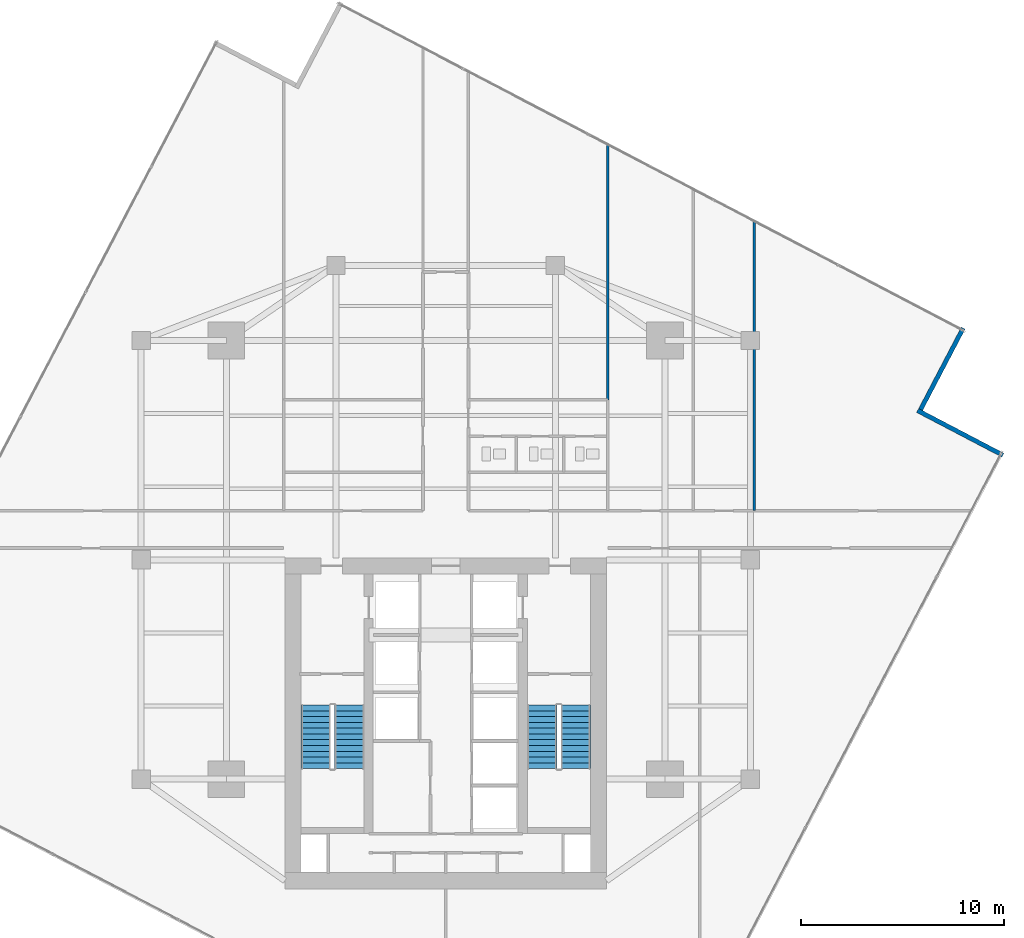
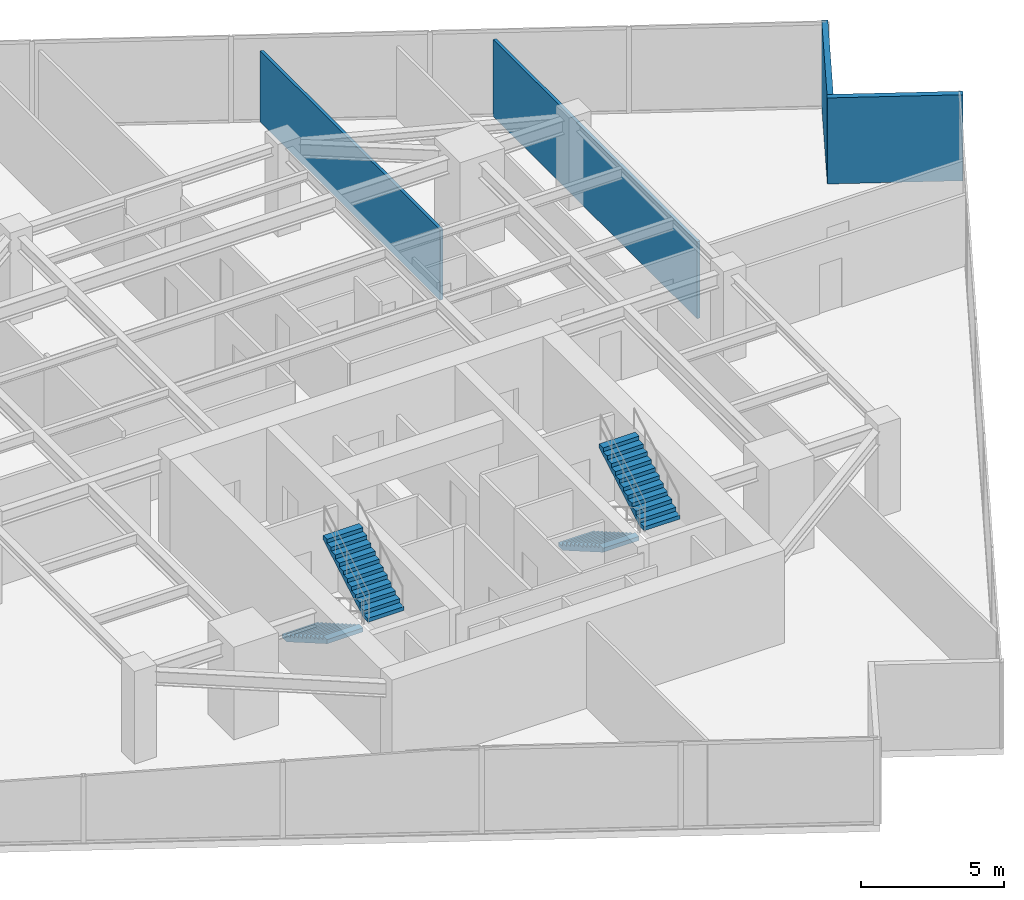
# One storey, part 25 of 27: 4 stair flights, 4 walls, 2 elements without a shape of their own.
"""IFC4 building model written with IfcOpenShell, lengths in metres."""

from ifc_helpers import new_model, si_unit, direction, frame, frame_2d, origin, place, context, subcontext, project, spatial, polyline, rectangle, outline, extrude, material, layer, layer_set, type_object, element, aggregate, save


model = new_model("IFC4")

# Units and contexts
model_context = context("Model", 3, precision=1e-05, world=origin(), true_north=direction((0.0, 1.0)))
body_context = subcontext(model_context, "Body", "Model", "MODEL_VIEW")
ifc_project = project(units=[si_unit("LENGTHUNIT", "METRE"), si_unit("AREAUNIT", "SQUARE_METRE"), si_unit("VOLUMEUNIT", "CUBIC_METRE"), si_unit("PLANEANGLEUNIT", "RADIAN"), si_unit("MASSUNIT", "GRAM", prefix="KILO")], contexts=[model_context])

# Site, building, storey
site_placement = place(None, origin())
site = spatial("IfcSite", under=ifc_project, at=site_placement, CompositionType="ELEMENT")
building_placement = place(site_placement, origin())
building = spatial("IfcBuilding", under=site, at=building_placement, Name="Krantzveldt Concourse Tower", CompositionType="ELEMENT")
storey_placement = place(building_placement, frame((0.0, 0.0, 154.10009765625)))
storey = spatial("IfcBuildingStorey", under=building, at=storey_placement, Name="L37", CompositionType="ELEMENT", Elevation=154.10009765625)

# Walls
ifc_material_1 = material(Name="Anodised aluminium 6063-T6", Category="aluminium")
ifc_layer_1 = layer(ifc_material_1, 0.219970703125, Name="Anodised aluminium 6063-T6", Category="aluminium")
ifc_layer_set_1 = layer_set([ifc_layer_1], Name="Anodised aluminium 6063-T6 (WL-EXT-NOTCH220)")
wall_type_1 = type_object("IfcWallType", Name="WL-EXT-NOTCH220", PredefinedType="ELEMENTEDWALL", material=ifc_layer_set_1)
wall_1_placement = place(storey_placement, frame((63.442626953125, 31.852783203125, 0.0), z_axis=(0.0, 0.0, 1.0), x_axis=(-0.886000663224, 0.463683970788, 0.0)))
element("IfcWall", 1, at=wall_1_placement, inside=storey, type_object=wall_type_1, Name="EW-L37-NCH08", PredefinedType="ELEMENTEDWALL", context=body_context, shape_type="SweptSolid", body=[
    extrude(rectangle(XDim=4.7451171875, YDim=0.219970703125, at=frame_2d((2.37255859375, 0.0))), origin(), (0.0, 0.0, 1.0), 3.669921875),
])
wall_2_placement = place(storey_placement, frame((59.386962890625, 34.099365234375, 0.0), z_axis=(0.0, 0.0, 1.0), x_axis=(0.463690434653, 0.885997280363, 0.0)))
element("IfcWall", 2, at=wall_2_placement, inside=storey, type_object=wall_type_1, Name="EW-L37-NCH09", PredefinedType="ELEMENTEDWALL", context=body_context, shape_type="SweptSolid", body=[
    extrude(rectangle(XDim=4.52490234375, YDim=0.219970703125, at=frame_2d((2.262451171875, 0.0))), origin(), (0.0, 0.0, 1.0), 3.669921875),
])
ifc_material_2 = material(Name="Fire-rated gypsum plasterboard on steel stud", Category="steel")
ifc_layer_2 = layer(ifc_material_2, 0.1201171875, Name="Fire-rated gypsum plasterboard on steel stud", Category="steel")
ifc_layer_set_2 = layer_set([ifc_layer_2], Name="Fire-rated gypsum plasterboard on steel stud (WL-PART-120)")
wall_type_2 = type_object("IfcWallType", Name="WL-PART-120", PredefinedType="PARTITIONING", material=ifc_layer_set_2)
wall_3_placement = place(storey_placement, frame((43.97998046875, 34.580078125, 0.0), z_axis=(0.0, 0.0, 1.0), x_axis=(0.0, 1.0, 0.0)))
element("IfcWall", 3, at=wall_3_placement, inside=storey, type_object=wall_type_2, Name="WP-L37-ISER2", PredefinedType="PARTITIONING", context=body_context, shape_type="SweptSolid", body=[
    extrude(rectangle(XDim=12.559814453125, YDim=0.1201171875, at=frame_2d((6.27978515625, 0.0))), origin(), (0.0, 0.0, 1.0), 3.02978515625),
])
wall_4_placement = place(storey_placement, frame((51.199951171875, 29.1201171875, 0.0), z_axis=(0.0, 0.0, 1.0), x_axis=(0.0, 1.0, 0.0)))
element("IfcWall", 4, at=wall_4_placement, inside=storey, type_object=wall_type_2, Name="WP-L37-NEX2", PredefinedType="PARTITIONING", context=body_context, shape_type="SweptSolid", body=[
    extrude(rectangle(XDim=14.2412109375, YDim=0.1201171875, at=frame_2d((7.12060546875, 0.0))), origin(), (0.0, 0.0, 1.0), 3.27978515625),
])

# Stair, stair flights
ifc_material_3 = material(Name="Precast concrete C40/50", Category="concrete")
stair_type = type_object("IfcStairType", Name="STR-CORE-DOGLEG", PredefinedType="HALF_TURN_STAIR", material=ifc_material_3)
stair_1_placement = place(storey_placement, origin())
stair_1 = element("IfcStair", 5, at=stair_1_placement, inside=storey, type_object=stair_type, Name="L37 Protected Escape Stair ST-1", PredefinedType="HALF_TURN_STAIR")
stair_flight_type = type_object("IfcStairFlightType", Name="STF-CORE-1450", PredefinedType="STRAIGHT", material=ifc_material_3)
stair_flight_1_placement = place(storey_placement, frame((29.60498046875, 19.550048828125, 0.0), z_axis=(0.0, 0.0, 1.0), x_axis=(0.0, -1.0, 0.0)))
stair_flight_1 = element("IfcStairFlight", 6, at=stair_flight_1_placement, type_object=stair_flight_type, Name="ST-1 flight 1", NumberOfRisers=12, NumberOfTreads=11, PredefinedType="STRAIGHT", RiserHeight=0.164583333, TreadLength=0.285, context=body_context, shape_type="SweptSolid", body=[
    extrude(outline(polyline([(0.0, 0.0), (0.0, 0.16455078125), (0.284912109375, 0.16455078125), (0.284912109375, 0.3291015625), (0.570068359375, 0.3291015625), (0.570068359375, 0.49365234375), (0.85498046875, 0.49365234375), (0.85498046875, 0.658447265625), (1.139892578125, 0.658447265625), (1.139892578125, 0.822998046875), (1.425048828125, 0.822998046875), (1.425048828125, 0.987548828125), (1.7099609375, 0.987548828125), (1.7099609375, 1.152099609375), (1.9951171875, 1.152099609375), (1.9951171875, 1.316650390625), (2.280029296875, 1.316650390625), (2.280029296875, 1.481201171875), (2.56494140625, 1.481201171875), (2.56494140625, 1.645751953125), (2.85009765625, 1.645751953125), (2.85009765625, 1.810302734375), (3.135009765625, 1.810302734375), (3.135009765625, 1.97509765625), (3.135009765625, 1.63720703125), (0.2998046875, 0.0), (0.0, 0.0)])), frame((0.0, 0.72509765625, 0.0), z_axis=(0.0, -1.0, 0.0), x_axis=(1.0, 0.0, 0.0)), (0.0, 0.0, 1.0), 1.449951171875),
])
stair_flight_2_placement = place(storey_placement, frame((31.2548828125, 16.4150390625, 1.974853515625), z_axis=(0.0, 0.0, 1.0), x_axis=(0.0, 1.0, 0.0)))
stair_flight_2 = element("IfcStairFlight", 7, at=stair_flight_2_placement, type_object=stair_flight_type, Name="ST-1 flight 2", NumberOfRisers=12, NumberOfTreads=11, PredefinedType="STRAIGHT", RiserHeight=0.164583333, TreadLength=0.285, context=body_context, shape_type="SweptSolid", body=[
    extrude(outline(polyline([(0.0, 0.0), (0.0, 0.16455078125), (0.284912109375, 0.16455078125), (0.284912109375, 0.3291015625), (0.570068359375, 0.3291015625), (0.570068359375, 0.49365234375), (0.85498046875, 0.49365234375), (0.85498046875, 0.658447265625), (1.139892578125, 0.658447265625), (1.139892578125, 0.822998046875), (1.425048828125, 0.822998046875), (1.425048828125, 0.987548828125), (1.7099609375, 0.987548828125), (1.7099609375, 1.152099609375), (1.9951171875, 1.152099609375), (1.9951171875, 1.316650390625), (2.280029296875, 1.316650390625), (2.280029296875, 1.481201171875), (2.56494140625, 1.481201171875), (2.56494140625, 1.645751953125), (2.85009765625, 1.645751953125), (2.85009765625, 1.810302734375), (3.135009765625, 1.810302734375), (3.135009765625, 1.97509765625), (3.135009765625, 1.63720703125), (0.2998046875, 0.0), (0.0, 0.0)])), frame((0.0, 0.72509765625, 0.0), z_axis=(0.0, -1.0, 0.0), x_axis=(1.0, 0.0, 0.0)), (0.0, 0.0, 1.0), 1.449951171875),
])
aggregate(stair_1, [stair_flight_1, stair_flight_2])

stair_2_placement = place(storey_placement, origin())
stair_2 = element("IfcStair", 8, at=stair_2_placement, inside=storey, type_object=stair_type, Name="L37 Protected Escape Stair ST-2", PredefinedType="HALF_TURN_STAIR")
stair_flight_3_placement = place(storey_placement, frame((40.7451171875, 19.550048828125, 0.0), z_axis=(0.0, 0.0, 1.0), x_axis=(0.0, -1.0, 0.0)))
stair_flight_3 = element("IfcStairFlight", 9, at=stair_flight_3_placement, type_object=stair_flight_type, Name="ST-2 flight 1", NumberOfRisers=12, NumberOfTreads=11, PredefinedType="STRAIGHT", RiserHeight=0.164583333, TreadLength=0.285, context=body_context, shape_type="SweptSolid", body=[
    extrude(outline(polyline([(0.0, 0.0), (0.0, 0.16455078125), (0.284912109375, 0.16455078125), (0.284912109375, 0.3291015625), (0.570068359375, 0.3291015625), (0.570068359375, 0.49365234375), (0.85498046875, 0.49365234375), (0.85498046875, 0.658447265625), (1.139892578125, 0.658447265625), (1.139892578125, 0.822998046875), (1.425048828125, 0.822998046875), (1.425048828125, 0.987548828125), (1.7099609375, 0.987548828125), (1.7099609375, 1.152099609375), (1.9951171875, 1.152099609375), (1.9951171875, 1.316650390625), (2.280029296875, 1.316650390625), (2.280029296875, 1.481201171875), (2.56494140625, 1.481201171875), (2.56494140625, 1.645751953125), (2.85009765625, 1.645751953125), (2.85009765625, 1.810302734375), (3.135009765625, 1.810302734375), (3.135009765625, 1.97509765625), (3.135009765625, 1.63720703125), (0.2998046875, 0.0), (0.0, 0.0)])), frame((0.0, 0.72509765625, 0.0), z_axis=(0.0, -1.0, 0.0), x_axis=(1.0, 0.0, 0.0)), (0.0, 0.0, 1.0), 1.449951171875),
])
stair_flight_4_placement = place(storey_placement, frame((42.39501953125, 16.4150390625, 1.974853515625), z_axis=(0.0, 0.0, 1.0), x_axis=(0.0, 1.0, 0.0)))
stair_flight_4 = element("IfcStairFlight", 10, at=stair_flight_4_placement, type_object=stair_flight_type, Name="ST-2 flight 2", NumberOfRisers=12, NumberOfTreads=11, PredefinedType="STRAIGHT", RiserHeight=0.164583333, TreadLength=0.285, context=body_context, shape_type="SweptSolid", body=[
    extrude(outline(polyline([(0.0, 0.0), (0.0, 0.16455078125), (0.284912109375, 0.16455078125), (0.284912109375, 0.3291015625), (0.570068359375, 0.3291015625), (0.570068359375, 0.49365234375), (0.85498046875, 0.49365234375), (0.85498046875, 0.658447265625), (1.139892578125, 0.658447265625), (1.139892578125, 0.822998046875), (1.425048828125, 0.822998046875), (1.425048828125, 0.987548828125), (1.7099609375, 0.987548828125), (1.7099609375, 1.152099609375), (1.9951171875, 1.152099609375), (1.9951171875, 1.316650390625), (2.280029296875, 1.316650390625), (2.280029296875, 1.481201171875), (2.56494140625, 1.481201171875), (2.56494140625, 1.645751953125), (2.85009765625, 1.645751953125), (2.85009765625, 1.810302734375), (3.135009765625, 1.810302734375), (3.135009765625, 1.97509765625), (3.135009765625, 1.63720703125), (0.2998046875, 0.0), (0.0, 0.0)])), frame((0.0, 0.72509765625, 0.0), z_axis=(0.0, -1.0, 0.0), x_axis=(1.0, 0.0, 0.0)), (0.0, 0.0, 1.0), 1.449951171875),
])
aggregate(stair_2, [stair_flight_3, stair_flight_4])

save(model, "model.ifc")
